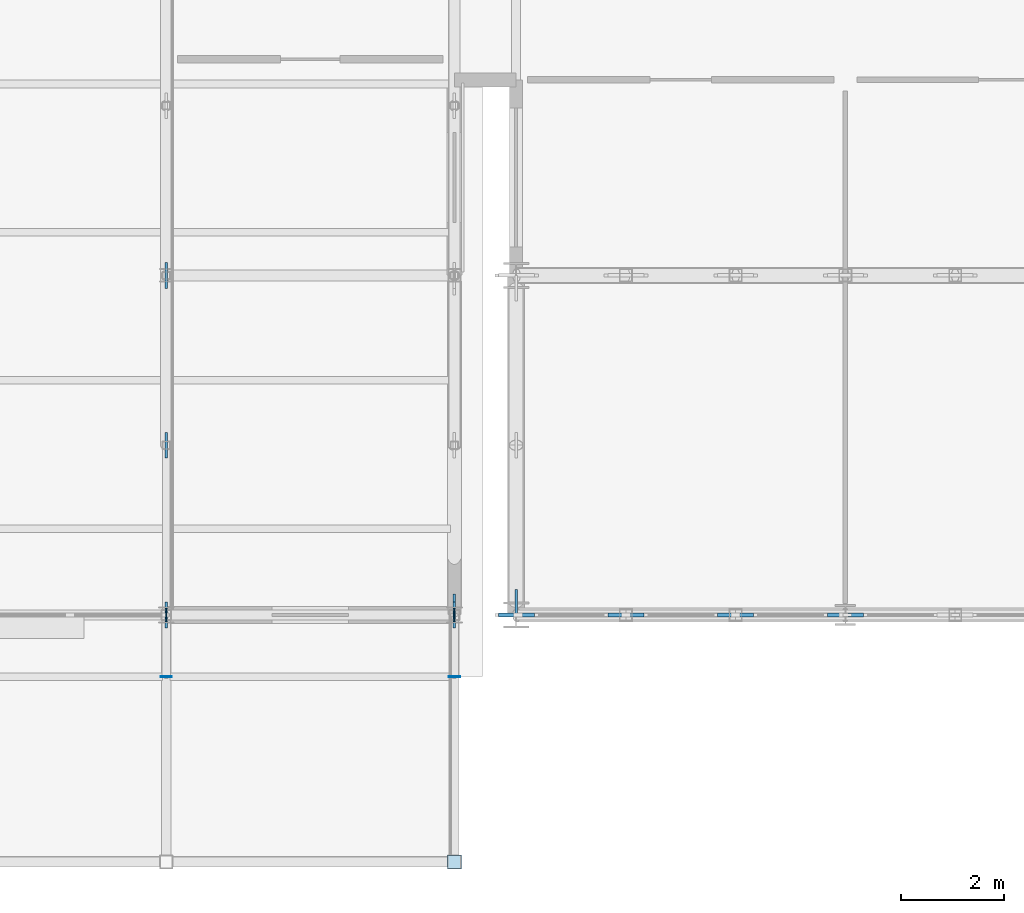
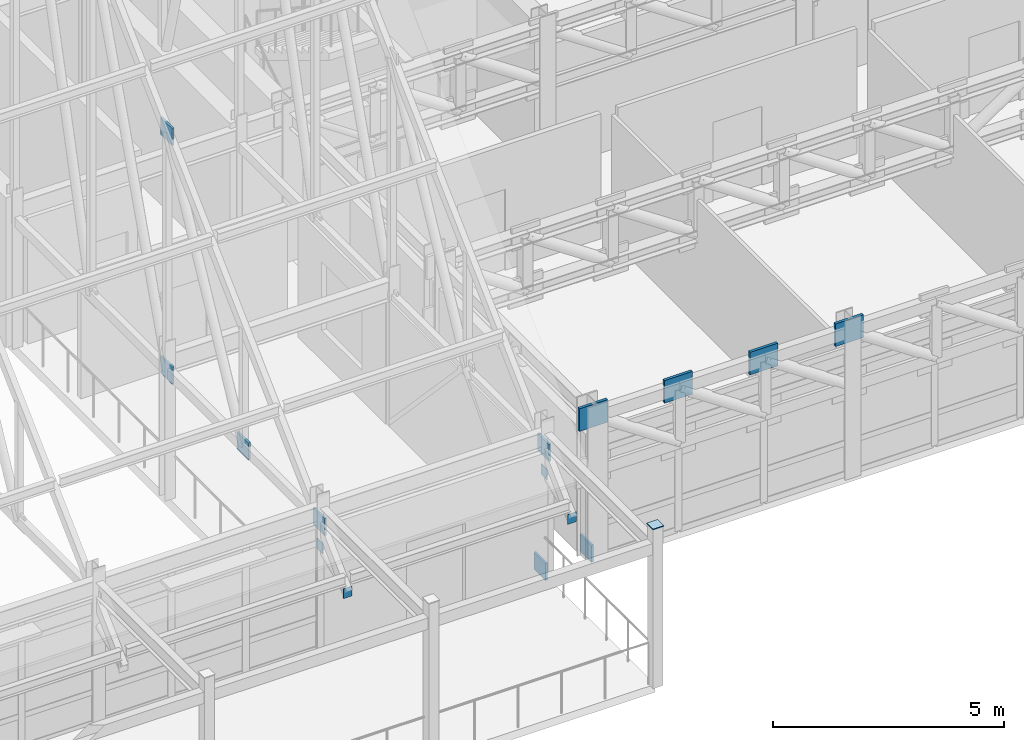
# One storey, part 109 of 144: 16 plates.
"""IFC4 building model written with IfcOpenShell, lengths in metres."""

from ifc_helpers import new_model, si_unit, direction, frame, origin, origin_2d, place, context, subcontext, project, spatial, rectangle, extrude, material, layer, layer_set, type_object, element, save


model = new_model("IFC4")

# Units and contexts
model_context = context("Model", 3, precision=1e-05, world=origin(), true_north=direction((0.0, 1.0)))
body_context = subcontext(model_context, "Body", "Model", "MODEL_VIEW")
ifc_project = project(units=[si_unit("LENGTHUNIT", "METRE"), si_unit("AREAUNIT", "SQUARE_METRE"), si_unit("VOLUMEUNIT", "CUBIC_METRE"), si_unit("PLANEANGLEUNIT", "RADIAN"), si_unit("MASSUNIT", "GRAM", prefix="KILO")], contexts=[model_context])

# Site, building, storey
site_placement = place(None, origin())
site = spatial("IfcSite", under=ifc_project, at=site_placement, CompositionType="ELEMENT")
building_placement = place(site_placement, origin())
building = spatial("IfcBuilding", under=site, at=building_placement, Name="Trelmorton Wharf Fire Station", CompositionType="ELEMENT")
storey_placement = place(building_placement, frame((0.0, 0.0, 5.39990234375)))
storey = spatial("IfcBuildingStorey", under=building, at=storey_placement, Name="L01", CompositionType="ELEMENT", Elevation=5.39990234375)

# Plates
ifc_material = material(Name="Steel Grade 350", Category="steel")
ifc_layer_1 = layer(ifc_material, 0.011962890625)
ifc_layer_set_1 = layer_set([ifc_layer_1], Name="Steel Grade 350")
plate_type_1 = type_object("IfcPlateType", Name="PL_ENDCAP_12", PredefinedType="SHEET", material=ifc_layer_set_1)
for number, where, z_axis, x_axis, name in (
    (1, (51.199951171875, 6.60009765625, 2.076171875), (0.0, 0.0, 1.0), (1.0, 0.0, 0.0), "PL-EC-0037"),
    (2, (56.800048828125, 6.60009765625, 2.076171875), (0.0, 0.0, 1.0), (1.0, 0.0, 0.0), "PL-EC-0041"),
):
    element("IfcPlate", number, at=place(storey_placement, frame(where, z_axis=z_axis, x_axis=x_axis)), inside=storey, type_object=plate_type_1, Name=name, PredefinedType="SHEET", context=body_context, shape_type="SweptSolid", body=[
        extrude(rectangle(XDim=0.219970703125, YDim=0.011962890625, at=origin_2d()), origin(), (0.0, 0.0, 1.0), 0.260009765625),
    ])
ifc_layer_2 = layer(ifc_material, 0.02001953125)
ifc_layer_set_2 = layer_set([ifc_layer_2], Name="Steel Grade 350")
plate_type_2 = type_object("IfcPlateType", Name="PL_ENDCAP_20", PredefinedType="SHEET", material=ifc_layer_set_2)
plate_placement = place(storey_placement, frame((56.800048828125, 3.0, 4.1982421875), z_axis=(0.0, 0.0, 1.0), x_axis=(1.0, 0.0, 0.0)))
element("IfcPlate", 3, at=plate_placement, inside=storey, type_object=plate_type_2, Name="PL-COLCAP-T-0324", PredefinedType="SHEET", context=body_context, shape_type="SweptSolid", body=[
    extrude(rectangle(XDim=0.27001953125, YDim=0.27001953125, at=origin_2d()), origin(), (0.0, 0.0, 1.0), 0.02392578125),
])
for number, where, z_axis, x_axis, name in (
    (4, (51.199951171875, 7.800048828125, 2.56005859375), (0.0, 0.0, 1.0), (1.0, 0.0, 0.0), "PL-EC-0038"),
    (5, (56.800048828125, 7.800048828125, 2.56005859375), (0.0, 0.0, 1.0), (1.0, 0.0, 0.0), "PL-EC-0042"),
):
    element("IfcPlate", number, at=place(storey_placement, frame(where, z_axis=z_axis, x_axis=x_axis)), inside=storey, type_object=plate_type_2, Name=name, PredefinedType="SHEET", context=body_context, shape_type="SweptSolid", body=[
        extrude(rectangle(XDim=0.02001953125, YDim=0.260009765625, at=origin_2d()), origin(), (0.0, 0.0, 1.0), 0.280029296875),
    ])
ifc_layer_3 = layer(ifc_material, 0.070068359375)
ifc_layer_set_3 = layer_set([ifc_layer_3], Name="Steel Grade 350")
plate_type_3 = type_object("IfcPlateType", Name="PL_GUSSET_KTN2", PredefinedType="USERDEFINED", material=ifc_layer_set_3)
for number, where, z_axis, x_axis, name in (
    (6, (58.011962890625, 7.800048828125, 3.47998046875), (0.0, 0.0, 1.0), (1.0, 0.0, 0.0), "PL-KTN-0002"),
    (7, (60.13330078125, 7.800048828125, 3.47998046875), (0.0, 0.0, 1.0), (1.0, 0.0, 0.0), "PL-KTN-0004"),
    (8, (62.2666015625, 7.800048828125, 3.47998046875), (0.0, 0.0, 1.0), (1.0, 0.0, 0.0), "PL-KTN-0006"),
    (9, (64.39990234375, 7.800048828125, 3.47998046875), (0.0, 0.0, 1.0), (1.0, 0.0, 0.0), "PL-KTN-0008"),
):
    element("IfcPlate", number, at=place(storey_placement, frame(where, z_axis=z_axis, x_axis=x_axis)), inside=storey, type_object=plate_type_3, Name=name, ObjectType="GUSSET PLATE", PredefinedType="USERDEFINED", context=body_context, shape_type="SweptSolid", body=[
        extrude(rectangle(XDim=0.699951171875, YDim=0.070068359375, at=origin_2d()), origin(), (0.0, 0.0, 1.0), 0.60009765625),
    ])
ifc_layer_4 = layer(ifc_material, 0.050048828125)
ifc_layer_set_4 = layer_set([ifc_layer_4], Name="Steel Grade 350")
plate_type_4 = type_object("IfcPlateType", Name="PL_GUSSET_TN2", PredefinedType="USERDEFINED", material=ifc_layer_set_4)
for number, where, z_axis, x_axis, name in (
    (10, (51.199951171875, 7.800048828125, 3.126953125), (0.0, 0.0, 1.0), (1.0, 0.0, 0.0), "PL-TN-0222"),
    (11, (51.199951171875, 11.10009765625, 3.126953125), (0.0, 0.0, 1.0), (1.0, 0.0, 0.0), "PL-TN-0225"),
    (12, (51.199951171875, 14.39990234375, 9.4267578125), (0.0, 0.0, 1.0), (1.0, 0.0, 0.0), "PL-TN-0226"),
    (13, (51.199951171875, 14.39990234375, 3.126953125), (0.0, 0.0, 1.0), (1.0, 0.0, 0.0), "PL-TN-0227"),
    (14, (56.800048828125, 7.800048828125, 3.126953125), (0.0, 0.0, 1.0), (1.0, 0.0, 0.0), "PL-TN-0235"),
    (15, (56.800048828125, 7.95458984375, -0.10498046875), (0.0, 0.0, 1.0), (1.0, 0.0, 0.0), "PL-CBF-0358"),
    (16, (58.0, 8.047119140625, -0.10498046875), (0.0, 0.0, 1.0), (1.0, 0.0, 0.0), "PL-CBF-0364"),
):
    element("IfcPlate", number, at=place(storey_placement, frame(where, z_axis=z_axis, x_axis=x_axis)), inside=storey, type_object=plate_type_4, Name=name, ObjectType="GUSSET PLATE", PredefinedType="USERDEFINED", context=body_context, shape_type="SweptSolid", body=[
        extrude(rectangle(XDim=0.050048828125, YDim=0.5, at=origin_2d()), origin(), (0.0, 0.0, 1.0), 0.449951171875),
    ])

save(model, "model.ifc")
